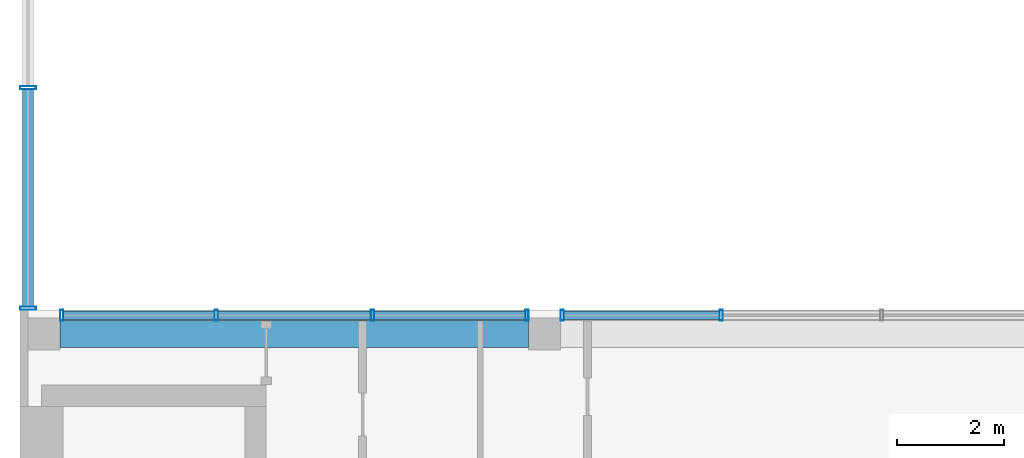
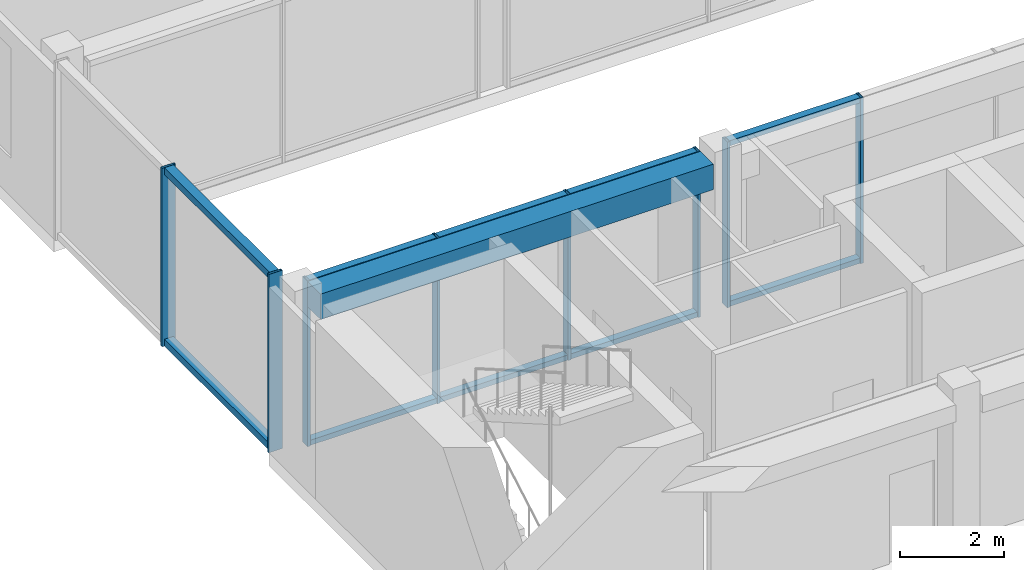
# One storey, part 6 of 28: 18 members, 1 beam, 3 elements without a shape of their own.
"""IFC4 building model written with IfcOpenShell, lengths in metres."""

from ifc_helpers import new_model, si_unit, direction, frame, origin, origin_2d, place, context, subcontext, project, spatial, rectangle, hollow_rectangle, extrude, material, layer, layer_set, material_profile, profile_set, type_object, element, aggregate, save


model = new_model("IFC4")

# Units and contexts
model_context = context("Model", 3, precision=1e-05, world=origin(), true_north=direction((0.0, 1.0)))
body_context = subcontext(model_context, "Body", "Model", "MODEL_VIEW")
ifc_project = project(units=[si_unit("LENGTHUNIT", "METRE"), si_unit("AREAUNIT", "SQUARE_METRE"), si_unit("VOLUMEUNIT", "CUBIC_METRE"), si_unit("PLANEANGLEUNIT", "RADIAN"), si_unit("MASSUNIT", "GRAM", prefix="KILO")], contexts=[model_context])

# Site, building, storey
site_placement = place(None, origin())
site = spatial("IfcSite", under=ifc_project, at=site_placement, CompositionType="ELEMENT")
building_placement = place(site_placement, origin())
building = spatial("IfcBuilding", under=site, at=building_placement, Name="Nzadi Deep Aquarium and Research Tower", CompositionType="ELEMENT")
storey_placement = place(building_placement, frame((0.0, 0.0, 73.89990234375)))
storey = spatial("IfcBuildingStorey", under=building, at=storey_placement, Name="L15", CompositionType="ELEMENT", Elevation=73.89990234375)

# Curtain wall, members
ifc_material_1 = material(Name="Aluminium unitised frame", Category="aluminium")
ifc_layer_1 = layer(ifc_material_1, 0.199951171875)
ifc_layer_set_1 = layer_set([ifc_layer_1], Name="Aluminium unitised frame")
curtain_wall_type_1 = type_object("IfcCurtainWallType", Name="Curtain wall Unitised 200", PredefinedType="NOTDEFINED", material=ifc_layer_set_1)
curtain_wall_1_placement = place(storey_placement, origin())
curtain_wall_1 = element("IfcCurtainWall", 1, at=curtain_wall_1_placement, inside=storey, type_object=curtain_wall_type_1, Name="Unitised curtain wall blade A north L15", PredefinedType="NOTDEFINED")
ifc_material_2 = material(Name="Aluminium unitised frame", Category="aluminium")
ifc_material_profile_1 = material_profile(ifc_material_2, hollow_rectangle(XDim=0.199951171875, YDim=0.06005859375, WallThickness=0.0048828125, at=origin_2d()))
ifc_profile_set_1 = profile_set([ifc_material_profile_1], Name="Aluminium unitised frame")
member_type_1 = type_object("IfcMemberType", Name="Mullion 60x200 Unitised", PredefinedType="MULLION", material=ifc_profile_set_1)
member_1_placement = place(storey_placement, frame((0.580078125, 18.75, 0.0), z_axis=(0.0, 0.0, 1.0), x_axis=(0.0, 1.0, 0.0)))
member_1 = element("IfcMember", 2, at=member_1_placement, type_object=member_type_1, Name="CW070 mullion 1", PredefinedType="MULLION", context=body_context, shape_type="SweptSolid", body=[
    extrude(hollow_rectangle(XDim=0.199951171875, YDim=0.06005859375, WallThickness=0.0048828125, at=origin_2d()), origin(), (0.0, 0.0, 1.0), 3.900146484375),
])
member_2_placement = place(storey_placement, frame((3.466552734375, 18.75, 0.0), z_axis=(0.0, 0.0, 1.0), x_axis=(0.0, 1.0, 0.0)))
member_2 = element("IfcMember", 3, at=member_2_placement, type_object=member_type_1, Name="CW070 mullion 2", PredefinedType="MULLION", context=body_context, shape_type="SweptSolid", body=[
    extrude(hollow_rectangle(XDim=0.199951171875, YDim=0.06005859375, WallThickness=0.0048828125, at=origin_2d()), origin(), (0.0, 0.0, 1.0), 3.900146484375),
])
member_3_placement = place(storey_placement, frame((6.38330078125, 18.75, 0.0), z_axis=(0.0, 0.0, 1.0), x_axis=(0.0, 1.0, 0.0)))
member_3 = element("IfcMember", 4, at=member_3_placement, type_object=member_type_1, Name="CW070 mullion 3", PredefinedType="MULLION", context=body_context, shape_type="SweptSolid", body=[
    extrude(hollow_rectangle(XDim=0.199951171875, YDim=0.06005859375, WallThickness=0.0048828125, at=origin_2d()), origin(), (0.0, 0.0, 1.0), 3.900146484375),
])
member_4_placement = place(storey_placement, frame((9.27001953125, 18.75, 0.0), z_axis=(0.0, 0.0, 1.0), x_axis=(0.0, 1.0, 0.0)))
member_4 = element("IfcMember", 5, at=member_4_placement, type_object=member_type_1, Name="CW070 mullion 4", PredefinedType="MULLION", context=body_context, shape_type="SweptSolid", body=[
    extrude(hollow_rectangle(XDim=0.199951171875, YDim=0.06005859375, WallThickness=0.0048828125, at=origin_2d()), origin(), (0.0, 0.0, 1.0), 3.900146484375),
])

curtain_wall_2_placement = place(storey_placement, origin())
curtain_wall_2 = element("IfcCurtainWall", 6, at=curtain_wall_2_placement, inside=storey, type_object=curtain_wall_type_1, Name="Unitised curtain wall blade A north L15", PredefinedType="NOTDEFINED")
member_5_placement = place(storey_placement, frame((9.929931640625, 18.75, 0.0), z_axis=(0.0, 0.0, 1.0), x_axis=(0.0, 1.0, 0.0)))
member_5 = element("IfcMember", 7, at=member_5_placement, type_object=member_type_1, Name="CW071 mullion 1", PredefinedType="MULLION", context=body_context, shape_type="SweptSolid", body=[
    extrude(hollow_rectangle(XDim=0.199951171875, YDim=0.06005859375, WallThickness=0.0048828125, at=origin_2d()), origin(), (0.0, 0.0, 1.0), 3.900146484375),
])
member_6_placement = place(storey_placement, frame((12.89990234375, 18.75, 0.0), z_axis=(0.0, 0.0, 1.0), x_axis=(0.0, 1.0, 0.0)))
member_6 = element("IfcMember", 8, at=member_6_placement, type_object=member_type_1, Name="CW071 mullion 2", PredefinedType="MULLION", context=body_context, shape_type="SweptSolid", body=[
    extrude(hollow_rectangle(XDim=0.199951171875, YDim=0.06005859375, WallThickness=0.0048828125, at=origin_2d()), origin(), (0.0, 0.0, 1.0), 3.900146484375),
])

ifc_material_3 = material(Name="Aluminium unitised frame wind post", Category="aluminium")
ifc_layer_2 = layer(ifc_material_3, 0.300048828125)
ifc_layer_set_2 = layer_set([ifc_layer_2], Name="Aluminium unitised frame wind post")
curtain_wall_type_2 = type_object("IfcCurtainWallType", Name="Curtain wall Slot End 300", PredefinedType="NOTDEFINED", material=ifc_layer_set_2)
curtain_wall_3_placement = place(storey_placement, origin())
curtain_wall_3 = element("IfcCurtainWall", 9, at=curtain_wall_3_placement, inside=storey, type_object=curtain_wall_type_2, Name="Glazed slot end west L15", PredefinedType="NOTDEFINED")
ifc_material_4 = material(Name="Aluminium unitised frame wind post", Category="aluminium")
ifc_material_profile_2 = material_profile(ifc_material_4, hollow_rectangle(XDim=0.300048828125, YDim=0.06005859375, WallThickness=0.0048828125, at=origin_2d()))
ifc_profile_set_2 = profile_set([ifc_material_profile_2], Name="Aluminium unitised frame wind post")
member_type_2 = type_object("IfcMemberType", Name="Mullion 60x300 Slot End", PredefinedType="MULLION", material=ifc_profile_set_2)
member_7_placement = place(storey_placement, frame((-0.049560546875, 18.8798828125, 0.0), z_axis=(0.0, 0.0, 1.0), x_axis=(-1.0, 0.0, 0.0)))
member_7 = element("IfcMember", 10, at=member_7_placement, type_object=member_type_2, Name="CW221 mullion 1", PredefinedType="MULLION", context=body_context, shape_type="SweptSolid", body=[
    extrude(hollow_rectangle(XDim=0.300048828125, YDim=0.06005859375, WallThickness=0.0048828125, at=origin_2d()), origin(), (0.0, 0.0, 1.0), 4.2001953125),
])
member_8_placement = place(storey_placement, frame((-0.049560546875, 23.0, 0.0), z_axis=(0.0, 0.0, 1.0), x_axis=(-1.0, 0.0, 0.0)))
member_8 = element("IfcMember", 11, at=member_8_placement, type_object=member_type_2, Name="CW221 mullion 2", PredefinedType="MULLION", context=body_context, shape_type="SweptSolid", body=[
    extrude(hollow_rectangle(XDim=0.300048828125, YDim=0.06005859375, WallThickness=0.0048828125, at=origin_2d()), origin(), (0.0, 0.0, 1.0), 4.2001953125),
])

# Beam
ifc_material_5 = material(Name="Concrete C35/45", Category="concrete")
ifc_material_profile_3 = material_profile(ifc_material_5, rectangle(XDim=0.5, YDim=0.60009765625, at=origin_2d()))
ifc_profile_set_3 = profile_set([ifc_material_profile_3], Name="Concrete C35/45")
beam_type = type_object("IfcBeamType", Name="RC 500x600", PredefinedType="BEAM", material=ifc_profile_set_3)
beam_placement = place(storey_placement, frame((0.550048828125, 18.39990234375, 3.60009765625), z_axis=(1.0, 0.0, 0.0), x_axis=(0.0, 1.0, 0.0)))
element("IfcBeam", 12, at=beam_placement, inside=storey, type_object=beam_type, Name="B-Z1-L15-L3-1", PredefinedType="BEAM", context=body_context, shape_type="SweptSolid", body=[
    extrude(rectangle(XDim=0.5, YDim=0.60009765625, at=origin_2d()), origin(), (0.0, 0.0, 1.0), 8.75),
])

# Member
ifc_material_6 = material(Name="Aluminium unitised frame", Category="aluminium")
ifc_material_profile_4 = material_profile(ifc_material_6, hollow_rectangle(XDim=0.159912109375, YDim=0.1201171875, WallThickness=0.0048828125, at=origin_2d()))
ifc_profile_set_4 = profile_set([ifc_material_profile_4], Name="Aluminium unitised frame")
member_type_3 = type_object("IfcMemberType", Name="Transom 120x160 Unitised", PredefinedType="MULLION", material=ifc_profile_set_4)
member_9_placement = place(storey_placement, frame((0.610107421875, 18.75, 0.06005859375), z_axis=(1.0, 0.0, 0.0), x_axis=(0.0, 1.0, 0.0)))
member_9 = element("IfcMember", 13, at=member_9_placement, type_object=member_type_3, Name="CW070 transom 1.1", PredefinedType="MULLION", context=body_context, shape_type="SweptSolid", body=[
    extrude(hollow_rectangle(XDim=0.159912109375, YDim=0.1201171875, WallThickness=0.0048828125, at=origin_2d()), origin(), (0.0, 0.0, 1.0), 2.82666015625),
])

member_10_placement = place(storey_placement, frame((0.610107421875, 18.75, 3.840087890625), z_axis=(1.0, 0.0, 0.0), x_axis=(0.0, 1.0, 0.0)))
member_10 = element("IfcMember", 14, at=member_10_placement, type_object=member_type_3, Name="CW070 transom 1.2", PredefinedType="MULLION", context=body_context, shape_type="SweptSolid", body=[
    extrude(hollow_rectangle(XDim=0.159912109375, YDim=0.1201171875, WallThickness=0.0048828125, at=origin_2d()), origin(), (0.0, 0.0, 1.0), 2.82666015625),
])

member_11_placement = place(storey_placement, frame((3.49658203125, 18.75, 0.06005859375), z_axis=(1.0, 0.0, 0.0), x_axis=(0.0, 1.0, 0.0)))
member_11 = element("IfcMember", 15, at=member_11_placement, type_object=member_type_3, Name="CW070 transom 2.1", PredefinedType="MULLION", context=body_context, shape_type="SweptSolid", body=[
    extrude(hollow_rectangle(XDim=0.159912109375, YDim=0.1201171875, WallThickness=0.0048828125, at=origin_2d()), origin(), (0.0, 0.0, 1.0), 2.856689453125),
])

member_12_placement = place(storey_placement, frame((3.49658203125, 18.75, 3.840087890625), z_axis=(1.0, 0.0, 0.0), x_axis=(0.0, 1.0, 0.0)))
member_12 = element("IfcMember", 16, at=member_12_placement, type_object=member_type_3, Name="CW070 transom 2.2", PredefinedType="MULLION", context=body_context, shape_type="SweptSolid", body=[
    extrude(hollow_rectangle(XDim=0.159912109375, YDim=0.1201171875, WallThickness=0.0048828125, at=origin_2d()), origin(), (0.0, 0.0, 1.0), 2.856689453125),
])

member_13_placement = place(storey_placement, frame((6.413330078125, 18.75, 0.06005859375), z_axis=(1.0, 0.0, 0.0), x_axis=(0.0, 1.0, 0.0)))
member_13 = element("IfcMember", 17, at=member_13_placement, type_object=member_type_3, Name="CW070 transom 3.1", PredefinedType="MULLION", context=body_context, shape_type="SweptSolid", body=[
    extrude(hollow_rectangle(XDim=0.159912109375, YDim=0.1201171875, WallThickness=0.0048828125, at=origin_2d()), origin(), (0.0, 0.0, 1.0), 2.82666015625),
])

member_14_placement = place(storey_placement, frame((6.413330078125, 18.75, 3.840087890625), z_axis=(1.0, 0.0, 0.0), x_axis=(0.0, 1.0, 0.0)))
member_14 = element("IfcMember", 18, at=member_14_placement, type_object=member_type_3, Name="CW070 transom 3.2", PredefinedType="MULLION", context=body_context, shape_type="SweptSolid", body=[
    extrude(hollow_rectangle(XDim=0.159912109375, YDim=0.1201171875, WallThickness=0.0048828125, at=origin_2d()), origin(), (0.0, 0.0, 1.0), 2.82666015625),
])

aggregate(curtain_wall_1, [member_1, member_2, member_3, member_4, member_9, member_10, member_11, member_12, member_13, member_14])

member_15_placement = place(storey_placement, frame((9.9599609375, 18.75, 0.06005859375), z_axis=(1.0, 0.0, 0.0), x_axis=(0.0, 1.0, 0.0)))
member_15 = element("IfcMember", 19, at=member_15_placement, type_object=member_type_3, Name="CW071 transom 1.1", PredefinedType="MULLION", context=body_context, shape_type="SweptSolid", body=[
    extrude(hollow_rectangle(XDim=0.159912109375, YDim=0.1201171875, WallThickness=0.0048828125, at=origin_2d()), origin(), (0.0, 0.0, 1.0), 2.91015625),
])

member_16_placement = place(storey_placement, frame((9.9599609375, 18.75, 3.840087890625), z_axis=(1.0, 0.0, 0.0), x_axis=(0.0, 1.0, 0.0)))
member_16 = element("IfcMember", 20, at=member_16_placement, type_object=member_type_3, Name="CW071 transom 1.2", PredefinedType="MULLION", context=body_context, shape_type="SweptSolid", body=[
    extrude(hollow_rectangle(XDim=0.159912109375, YDim=0.1201171875, WallThickness=0.0048828125, at=origin_2d()), origin(), (0.0, 0.0, 1.0), 2.91015625),
])

aggregate(curtain_wall_2, [member_5, member_6, member_15, member_16])

ifc_material_7 = material(Name="Aluminium unitised frame wind post", Category="aluminium")
ifc_material_profile_5 = material_profile(ifc_material_7, hollow_rectangle(XDim=0.199951171875, YDim=0.159912109375, WallThickness=0.0048828125, at=origin_2d()))
ifc_profile_set_5 = profile_set([ifc_material_profile_5], Name="Aluminium unitised frame wind post")
member_type_4 = type_object("IfcMemberType", Name="Transom 160x200 Slot End", PredefinedType="MULLION", material=ifc_profile_set_5)
member_17_placement = place(storey_placement, frame((-0.050048828125, 18.909912109375, 0.080078125), z_axis=(0.0, 1.0, 0.0), x_axis=(-1.0, 0.0, 0.0)))
member_17 = element("IfcMember", 21, at=member_17_placement, type_object=member_type_4, Name="CW221 transom 1.1", PredefinedType="MULLION", context=body_context, shape_type="SweptSolid", body=[
    extrude(hollow_rectangle(XDim=0.199951171875, YDim=0.159912109375, WallThickness=0.0048828125, at=origin_2d()), origin(), (0.0, 0.0, 1.0), 4.06005859375),
])

member_18_placement = place(storey_placement, frame((-0.050048828125, 18.909912109375, 4.1201171875), z_axis=(0.0, 1.0, 0.0), x_axis=(-1.0, 0.0, 0.0)))
member_18 = element("IfcMember", 22, at=member_18_placement, type_object=member_type_4, Name="CW221 transom 1.2", PredefinedType="MULLION", context=body_context, shape_type="SweptSolid", body=[
    extrude(hollow_rectangle(XDim=0.199951171875, YDim=0.159912109375, WallThickness=0.0048828125, at=origin_2d()), origin(), (0.0, 0.0, 1.0), 4.06005859375),
])

aggregate(curtain_wall_3, [member_7, member_8, member_17, member_18])

save(model, "model.ifc")
